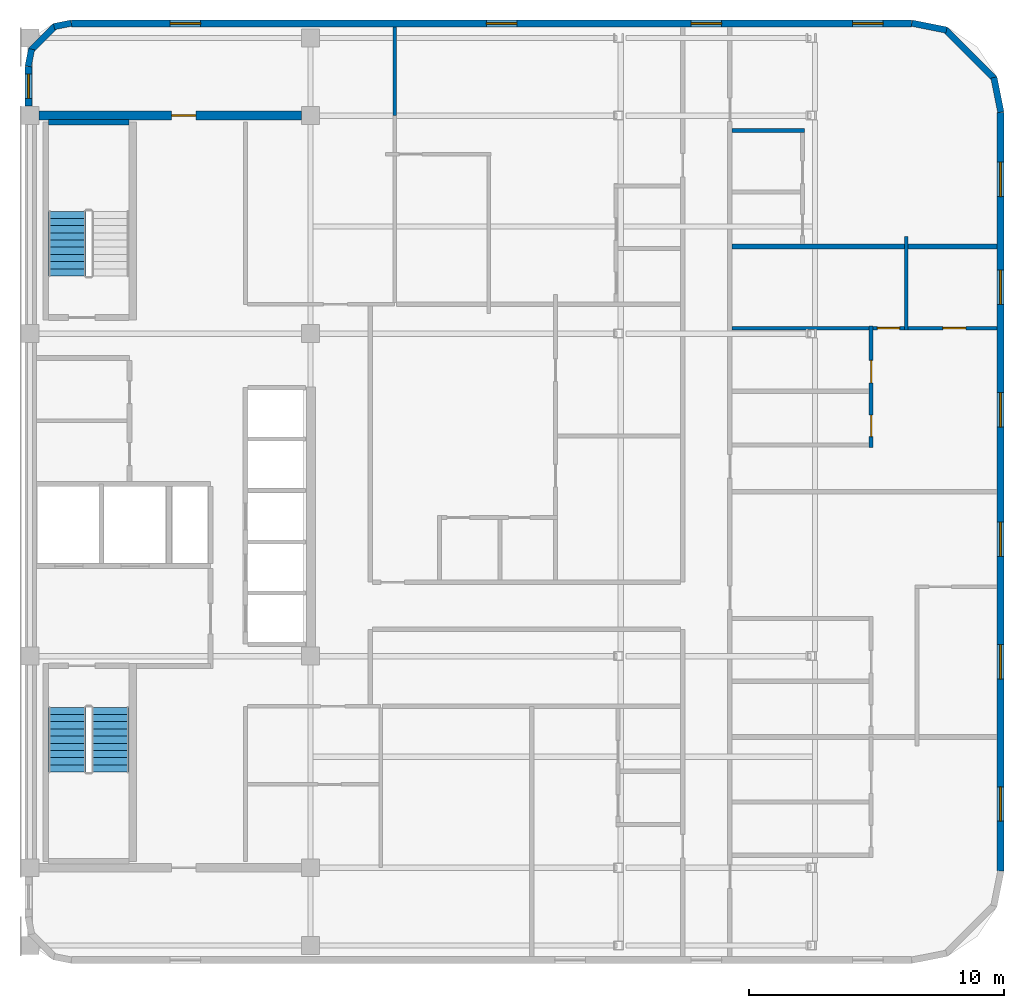
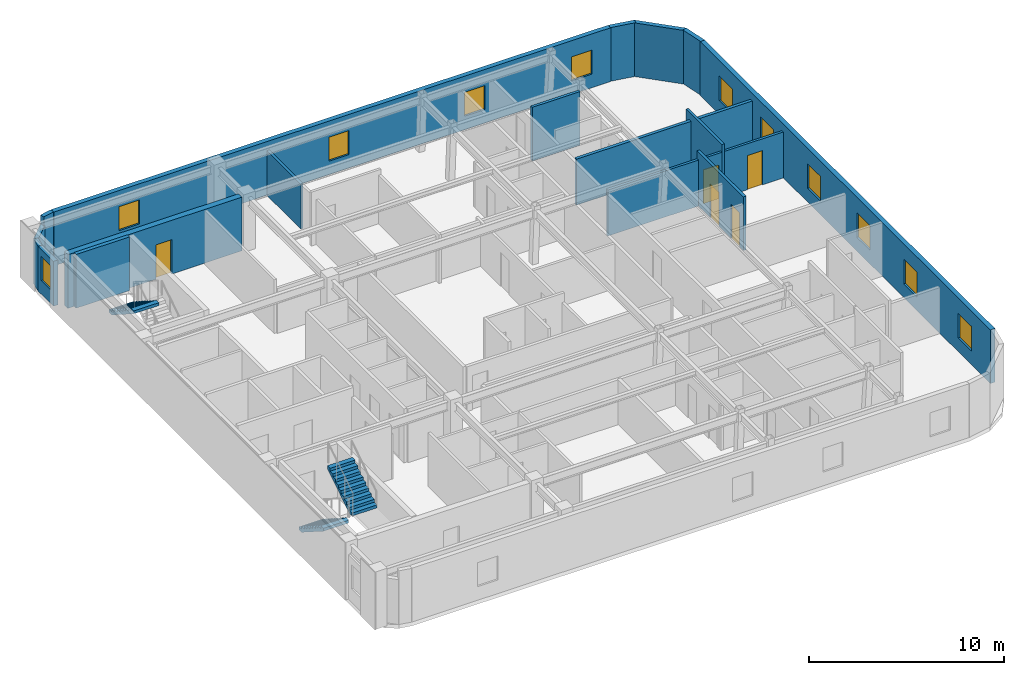
# One storey, part 5 of 7: 17 walls, 11 windows, 5 doors, 3 stair flights, 16 openings, 2 elements without a shape of their own.
"""IFC4 building model written with IfcOpenShell, lengths in metres."""

import ifcopenshell
import ifcopenshell.guid

model = None  # the IFC model being written
_history = None  # IfcOwnerHistory: only IFC2X3 demands one
_inside = {}  # id of a spatial element -> (the spatial element, [elements in it])
_under = {}  # id of a project, library or spatial element -> (it, [spatial elements below it])
_declared = {}  # id of a project -> (the project, [libraries it declares])
_typed = {}  # id of a type object -> (the type object, [elements of that type])
_made_of = {}  # id of a material, layer set ... -> (it, [elements and type objects made of it])


def new_model(schema):
    """Start an empty IFC model of exactly this schema.

    Asked for "IFC4X3", IfcOpenShell would pick the latest addendum, in which some entities
    have other attributes; the version numbers below select the first issue.
    IFC2X3 requires an IfcOwnerHistory on every rooted entity: one is made here for all.
    """
    global model, _history
    if schema == "IFC4X3":
        model = ifcopenshell.file(schema_version=(4, 3, 0, 0))
    else:
        model = ifcopenshell.file(schema=schema)
    _inside.clear()
    _under.clear()
    _declared.clear()
    _typed.clear()
    _made_of.clear()
    _history = None
    if model.schema == "IFC2X3":
        org = make("IfcOrganization", Name="unknown")
        user = make(
            "IfcPersonAndOrganization",
            ThePerson=make("IfcPerson", FamilyName="unknown"),
            TheOrganization=org,
        )
        app = make(
            "IfcApplication",
            ApplicationDeveloper=org,
            Version="unknown",
            ApplicationFullName="unknown",
            ApplicationIdentifier="unknown",
        )
        _history = make(
            "IfcOwnerHistory",
            OwningUser=user,
            OwningApplication=app,
            ChangeAction="ADDED",
            CreationDate=0,
        )
    return model


def make(cls, **values):
    """One entity of the class cls with the attributes given. An attribute that is None is left unset."""
    return model.create_entity(
        cls, **{name: value for name, value in values.items() if value is not None}
    )


def rooted(cls, **values):
    """An entity with a GlobalId (a new one), such as an element, a storey or a relation."""
    return make(cls, GlobalId=ifcopenshell.guid.new(), OwnerHistory=_history, **values)


def si_unit(unit_type, name, prefix=None):
    """IfcSIUnit, for example si_unit("LENGTHUNIT", "METRE", prefix="MILLI")."""
    return make("IfcSIUnit", UnitType=unit_type, Prefix=prefix, Name=name)


def assignment(units):
    """IfcUnitAssignment: the units of a project."""
    return None if units is None else make("IfcUnitAssignment", Units=units)


def point(xyz):
    """IfcCartesianPoint."""
    return None if xyz is None else make("IfcCartesianPoint", Coordinates=xyz)


def direction(xyz):
    """IfcDirection."""
    return None if xyz is None else make("IfcDirection", DirectionRatios=xyz)


def frame(location, z_axis=None, x_axis=None):
    """IfcAxis2Placement3D, a coordinate frame: its origin and axes. An axis left out is left unset."""
    return make(
        "IfcAxis2Placement3D",
        Location=point(location),
        Axis=direction(z_axis),
        RefDirection=direction(x_axis),
    )


def frame_2d(location, x_axis=None):
    """IfcAxis2Placement2D, a coordinate frame in the plane: its origin and x axis."""
    return make(
        "IfcAxis2Placement2D", Location=point(location), RefDirection=direction(x_axis)
    )


def origin():
    """The frame at (0, 0, 0) with its axes left unset."""
    return frame((0.0, 0.0, 0.0))


def place(relative_to, where):
    """IfcLocalPlacement: puts the frame where relative to a parent placement (None: the world)."""
    return make(
        "IfcLocalPlacement", PlacementRelTo=relative_to, RelativePlacement=where
    )


def context(
    kind, dimensions, precision=None, world=None, true_north=None, identifier=None
):
    """IfcGeometricRepresentationContext, for example the 3D "Model" context."""
    return make(
        "IfcGeometricRepresentationContext",
        ContextIdentifier=identifier,
        ContextType=kind,
        CoordinateSpaceDimension=dimensions,
        Precision=precision,
        WorldCoordinateSystem=world,
        TrueNorth=true_north,
    )


def subcontext(parent, identifier, kind, view, scale=None):
    """IfcGeometricRepresentationSubContext, for example "Body" below "Model"."""
    return make(
        "IfcGeometricRepresentationSubContext",
        ContextIdentifier=identifier,
        ContextType=kind,
        ParentContext=parent,
        TargetScale=scale,
        TargetView=view,
    )


def project(units=None, contexts=None):
    """IfcProject with its units and contexts."""
    return rooted(
        "IfcProject",
        Name="project",
        RepresentationContexts=contexts,
        UnitsInContext=assignment(units),
    )


def spatial(cls, under=None, at=None, **own):
    """A site, building, storey or space (cls), placed at a placement, below another one or the project."""
    s = rooted(cls, ObjectPlacement=at, **own)
    if under is not None:
        _under.setdefault(under.id(), (under, []))[1].append(s)
    return s


def polyline(points):
    """IfcPolyline through the points."""
    return make("IfcPolyline", Points=[point(p) for p in points])


def profile(cls, at=None, kind="AREA", **sizes):
    """A parametric profile (cls). Its sizes go by their IFC names, for example OverallWidth=200.0."""
    return make(cls, ProfileType=kind, Position=at, **sizes)


def rectangle(**sizes):
    """IfcRectangleProfileDef."""
    return profile("IfcRectangleProfileDef", **sizes)


def outline(outer, holes=None, kind="AREA"):
    """IfcArbitraryClosedProfileDef: a profile drawn as a closed curve; with holes, ...WithVoids."""
    if holes is None:
        return make("IfcArbitraryClosedProfileDef", ProfileType=kind, OuterCurve=outer)
    return make(
        "IfcArbitraryProfileDefWithVoids",
        ProfileType=kind,
        OuterCurve=outer,
        InnerCurves=holes,
    )


def extrude(swept, where, along, depth):
    """IfcExtrudedAreaSolid: the profile swept, set in the frame where, extruded along a direction by depth."""
    return make(
        "IfcExtrudedAreaSolid",
        SweptArea=swept,
        Position=where,
        ExtrudedDirection=direction(along),
        Depth=depth,
    )


def shape(context_of_items, identifier, shape_type, items):
    """IfcShapeRepresentation: the items that make up one representation, for example the "Body"."""
    return make(
        "IfcShapeRepresentation",
        ContextOfItems=context_of_items,
        RepresentationIdentifier=identifier,
        RepresentationType=shape_type,
        Items=items,
    )


def material(Name=None, Category=None):
    """IfcMaterial."""
    return make("IfcMaterial", Name=Name, Category=Category)


def layer(
    of_material, thickness, ventilated=None, Name=None, Category=None, Priority=None
):
    """IfcMaterialLayer: one layer of a wall or slab, of a material (None: an air gap)."""
    return make(
        "IfcMaterialLayer",
        Material=of_material,
        LayerThickness=thickness,
        IsVentilated=ventilated,
        Name=Name,
        Category=Category,
        Priority=Priority,
    )


def layer_set(layers, Name=None):
    """IfcMaterialLayerSet."""
    return make("IfcMaterialLayerSet", MaterialLayers=layers, LayerSetName=Name)


def made_of(thing, what):
    """Note that an element or type object is made of a material, layer set ...; save() writes the relation."""
    if what is not None:
        _made_of.setdefault(what.id(), (what, []))[1].append(thing)
    return thing


def type_object(cls, material=None, **own):
    """A type object (cls), such as IfcWallType, which elements share."""
    return made_of(rooted(cls, **own), material)


def element(
    cls,
    number,
    at=None,
    inside=None,
    cuts=None,
    type_object=None,
    material=None,
    context=None,
    identifier="Body",
    shape_type=None,
    held_by="IfcProductDefinitionShape",
    body=None,
    shapes=None,
    **own,
):
    """One element of the class cls, such as IfcWall. Its Tag is "e" and its number.

    at: its placement. inside: the storey or other place that contains it. cuts: it is an
    opening in that element (IfcRelVoidsElement). A single representation is given by context,
    identifier, shape_type and body (its items); several are given by shapes. held_by: the class
    of the entity that holds the representations. save() writes the other relations.
    """
    e = rooted(cls, Tag="e%d" % number, ObjectPlacement=at, **own)
    if body is not None:
        shapes = [shape(context, identifier, shape_type, body)]
    if shapes is not None:
        e.Representation = make(held_by, Representations=shapes)
    if inside is not None:
        _inside.setdefault(inside.id(), (inside, []))[1].append(e)
    if cuts is not None:
        rooted(
            "IfcRelVoidsElement", RelatingBuildingElement=cuts, RelatedOpeningElement=e
        )
    if type_object is not None:
        _typed.setdefault(type_object.id(), (type_object, []))[1].append(e)
    return made_of(e, material)


def fill(opening, filler):
    """IfcRelFillsElement: the door or window that sits in an opening."""
    return rooted(
        "IfcRelFillsElement",
        RelatingOpeningElement=opening,
        RelatedBuildingElement=filler,
    )


def aggregate(whole, parts):
    """IfcRelAggregates: a whole, such as a stair, and the parts it consists of."""
    return rooted("IfcRelAggregates", RelatingObject=whole, RelatedObjects=parts)


def save(model, path):
    """Write the relations noted so far, then the file.

    IfcRelAggregates (storeys below a building ...), IfcRelContainedInSpatialStructure (elements
    in a storey), IfcRelDefinesByType, IfcRelAssociatesMaterial and IfcRelDeclares: one each for
    every whole, place, type object, material and project.
    """
    for whole, parts in _under.values():
        aggregate(whole, parts)
    for where, things in _inside.values():
        rooted(
            "IfcRelContainedInSpatialStructure",
            RelatedElements=things,
            RelatingStructure=where,
        )
    for kind, things in _typed.values():
        rooted("IfcRelDefinesByType", RelatedObjects=things, RelatingType=kind)
    for what, things in _made_of.values():
        rooted("IfcRelAssociatesMaterial", RelatedObjects=things, RelatingMaterial=what)
    for by, libraries in _declared.values():
        rooted("IfcRelDeclares", RelatingContext=by, RelatedDefinitions=libraries)
    model.write(path)


model = new_model("IFC4")

# Units and contexts
model_context = context("Model", 3, precision=1e-05, world=origin(), true_north=direction((0.0, 1.0)))
body_context = subcontext(model_context, "Body", "Model", "MODEL_VIEW")
ifc_project = project(units=[si_unit("LENGTHUNIT", "METRE"), si_unit("AREAUNIT", "SQUARE_METRE"), si_unit("VOLUMEUNIT", "CUBIC_METRE"), si_unit("PLANEANGLEUNIT", "RADIAN"), si_unit("MASSUNIT", "GRAM", prefix="KILO")], contexts=[model_context])

# Site, building, storey
site_placement = place(None, origin())
site = spatial("IfcSite", under=ifc_project, at=site_placement, CompositionType="ELEMENT")
building_placement = place(site_placement, origin())
building = spatial("IfcBuilding", under=site, at=building_placement, Name="Ochreholt Gables", CompositionType="ELEMENT")
storey_placement = place(building_placement, frame((0.0, 0.0, 209.39990234375)))
storey = spatial("IfcBuildingStorey", under=building, at=storey_placement, Name="L54", CompositionType="ELEMENT", Elevation=209.39990234375)

# Wall, opening, door
ifc_material_1 = material(Name="Concrete 50 MPa", Category="concrete")
ifc_layer_1 = layer(ifc_material_1, 0.35009765625, Name="Concrete 50 MPa")
ifc_layer_set_1 = layer_set([ifc_layer_1], Name="Concrete 50 MPa")
wall_type_1 = type_object("IfcWallType", Name="WALL-CSW-350", PredefinedType="SHEAR", material=ifc_layer_set_1)
wall_1_placement = place(storey_placement, frame((24.550048828125, 38.75, 0.0), z_axis=(0.0, 0.0, 1.0), x_axis=(1.0, 0.0, 0.0)))
wall_1 = element("IfcWall", 1, at=wall_1_placement, inside=storey, type_object=wall_type_1, Name="L54 Core North Shear Wall", PredefinedType="SHEAR", context=body_context, shape_type="SweptSolid", body=[
    extrude(rectangle(XDim=10.300048828125, YDim=0.35009765625, at=frame_2d((5.14990234375, 0.0))), origin(), (0.0, 0.0, 1.0), 3.360107421875),
])
opening_1_placement = place(wall_1_placement, frame((5.199951171875, 0.0, 0.0)))
opening_1 = element("IfcOpeningElement", 2, at=opening_1_placement, cuts=wall_1, Name="Opening D-FL2", PredefinedType="OPENING", context=body_context, shape_type="SweptSolid", body=[
    extrude(rectangle(XDim=0.949951171875, YDim=2.14990234375, at=frame_2d((0.47509765625, 1.074951171875))), frame((0.0, 0.18505859375, 0.0), z_axis=(0.0, -1.0, 0.0), x_axis=(1.0, 0.0, 0.0)), (0.0, 0.0, 1.0), 0.3701171875),
])
ifc_material_2 = material(Name="Hollow Metal Steel", Category="steel")
door_type_1 = type_object("IfcDoorType", Name="DR-INT-FLB950", OperationType="NOTDEFINED", PredefinedType="DOOR", material=ifc_material_2)
door_1_placement = place(opening_1_placement, origin())
door_1 = element("IfcDoor", 3, at=door_1_placement, inside=storey, type_object=door_type_1, Name="L54 Door D-C3NSR-L54", OperationType="SINGLE_SWING_RIGHT", OverallHeight=2.14990234375, OverallWidth=0.949951171875, PredefinedType="DOOR", context=body_context, shape_type="SweptSolid", body=[
    extrude(rectangle(XDim=0.949951171875, YDim=2.14990234375, at=frame_2d((0.47509765625, 1.074951171875))), frame((0.0, 0.02490234375, 0.0), z_axis=(0.0, -1.0, 0.0), x_axis=(1.0, 0.0, 0.0)), (0.0, 0.0, 1.0), 0.050048828125),
])
fill(opening_1, door_1)

# Wall, openings, windows
ifc_material_3 = material(Name="Precast concrete 40 MPa", Category="concrete")
ifc_layer_2 = layer(ifc_material_3, 0.27001953125, Name="Precast concrete 40 MPa")
ifc_layer_set_2 = layer_set([ifc_layer_2], Name="Precast concrete 40 MPa")
wall_type_2 = type_object("IfcWallType", Name="WALL-EXT-270", PredefinedType="SOLIDWALL", material=ifc_layer_set_2)
wall_2_placement = place(storey_placement, frame((62.264892578125, 9.1201171875, 0.0), z_axis=(0.0, 0.0, 1.0), x_axis=(0.0, 1.0, 0.0)))
wall_2 = element("IfcWall", 4, at=wall_2_placement, inside=storey, type_object=wall_type_2, Name="L54 East Exterior Wall", PredefinedType="SOLIDWALL", context=body_context, shape_type="SweptSolid", body=[
    extrude(rectangle(XDim=29.759765625, YDim=0.27001953125, at=frame_2d((14.8798828125, 0.0))), origin(), (0.0, 0.0, 1.0), 3.360107421875),
])
opening_2_placement = place(wall_2_placement, frame((1.955078125, 0.0, 0.85009765625)))
opening_2 = element("IfcOpeningElement", 5, at=opening_2_placement, cuts=wall_2, Name="Opening WN-8", PredefinedType="OPENING", context=body_context, shape_type="SweptSolid", body=[
    extrude(rectangle(XDim=1.35009765625, YDim=1.550048828125, at=frame_2d((0.675048828125, 0.77490234375))), frame((0.0, 0.14501953125, 0.0), z_axis=(0.0, -1.0, 0.0), x_axis=(1.0, 0.0, 0.0)), (0.0, 0.0, 1.0), 0.2900390625),
])
opening_3_placement = place(wall_2_placement, frame((7.530029296875, 0.0, 0.85009765625)))
opening_3 = element("IfcOpeningElement", 6, at=opening_3_placement, cuts=wall_2, Name="Opening WN-8", PredefinedType="OPENING", context=body_context, shape_type="SweptSolid", body=[
    extrude(rectangle(XDim=1.35009765625, YDim=1.550048828125, at=frame_2d((0.675048828125, 0.77490234375))), frame((0.0, 0.14501953125, 0.0), z_axis=(0.0, -1.0, 0.0), x_axis=(1.0, 0.0, 0.0)), (0.0, 0.0, 1.0), 0.2900390625),
])
opening_4_placement = place(wall_2_placement, frame((12.340087890625, 0.0, 0.85009765625)))
opening_4 = element("IfcOpeningElement", 7, at=opening_4_placement, cuts=wall_2, Name="Opening WN-8", PredefinedType="OPENING", context=body_context, shape_type="SweptSolid", body=[
    extrude(rectangle(XDim=1.35009765625, YDim=1.550048828125, at=frame_2d((0.675048828125, 0.77490234375))), frame((0.0, 0.14501953125, 0.0), z_axis=(0.0, -1.0, 0.0), x_axis=(1.0, 0.0, 0.0)), (0.0, 0.0, 1.0), 0.2900390625),
])
opening_5_placement = place(wall_2_placement, frame((17.412353515625, 0.0, 0.85009765625)))
opening_5 = element("IfcOpeningElement", 8, at=opening_5_placement, cuts=wall_2, Name="Opening WN-8", PredefinedType="OPENING", context=body_context, shape_type="SweptSolid", body=[
    extrude(rectangle(XDim=1.35009765625, YDim=1.550048828125, at=frame_2d((0.675048828125, 0.77490234375))), frame((0.0, 0.14501953125, 0.0), z_axis=(0.0, -1.0, 0.0), x_axis=(1.0, 0.0, 0.0)), (0.0, 0.0, 1.0), 0.2900390625),
])
opening_6_placement = place(wall_2_placement, frame((22.222412109375, 0.0, 0.85009765625)))
opening_6 = element("IfcOpeningElement", 9, at=opening_6_placement, cuts=wall_2, Name="Opening WN-8", PredefinedType="OPENING", context=body_context, shape_type="SweptSolid", body=[
    extrude(rectangle(XDim=1.35009765625, YDim=1.550048828125, at=frame_2d((0.675048828125, 0.77490234375))), frame((0.0, 0.14501953125, 0.0), z_axis=(0.0, -1.0, 0.0), x_axis=(1.0, 0.0, 0.0)), (0.0, 0.0, 1.0), 0.2900390625),
])
opening_7_placement = place(wall_2_placement, frame((26.455078125, 0.0, 0.85009765625)))
opening_7 = element("IfcOpeningElement", 10, at=opening_7_placement, cuts=wall_2, Name="Opening WN-8", PredefinedType="OPENING", context=body_context, shape_type="SweptSolid", body=[
    extrude(rectangle(XDim=1.35009765625, YDim=1.550048828125, at=frame_2d((0.675048828125, 0.77490234375))), frame((0.0, 0.14501953125, 0.0), z_axis=(0.0, -1.0, 0.0), x_axis=(1.0, 0.0, 0.0)), (0.0, 0.0, 1.0), 0.2900390625),
])
ifc_material_4 = material(Name="Triple-Glazed Thermally Broken Aluminium Window", Category="aluminium")
window_type_1 = type_object("IfcWindowType", Name="WIN-RES-1350", PartitioningType="SINGLE_PANEL", PredefinedType="WINDOW", material=ifc_material_4)
window_1_placement = place(opening_2_placement, origin())
window_1 = element("IfcWindow", 11, at=window_1_placement, inside=storey, type_object=window_type_1, Name="L54 Window W-EXT-E-L54-1", OverallHeight=1.550048828125, OverallWidth=1.35009765625, PartitioningType="SINGLE_PANEL", PredefinedType="WINDOW", context=body_context, shape_type="SweptSolid", body=[
    extrude(rectangle(XDim=1.35009765625, YDim=1.550048828125, at=frame_2d((0.675048828125, 0.77490234375))), frame((0.0, 0.030029296875, 0.0), z_axis=(0.0, -1.0, 0.0), x_axis=(1.0, 0.0, 0.0)), (0.0, 0.0, 1.0), 0.06005859375),
])
fill(opening_2, window_1)
window_2_placement = place(opening_3_placement, origin())
window_2 = element("IfcWindow", 12, at=window_2_placement, inside=storey, type_object=window_type_1, Name="L54 Window W-EXT-E-L54-2", OverallHeight=1.550048828125, OverallWidth=1.35009765625, PartitioningType="SINGLE_PANEL", PredefinedType="WINDOW", context=body_context, shape_type="SweptSolid", body=[
    extrude(rectangle(XDim=1.35009765625, YDim=1.550048828125, at=frame_2d((0.675048828125, 0.77490234375))), frame((0.0, 0.030029296875, 0.0), z_axis=(0.0, -1.0, 0.0), x_axis=(1.0, 0.0, 0.0)), (0.0, 0.0, 1.0), 0.06005859375),
])
fill(opening_3, window_2)
window_3_placement = place(opening_4_placement, origin())
window_3 = element("IfcWindow", 13, at=window_3_placement, inside=storey, type_object=window_type_1, Name="L54 Window W-EXT-E-L54-3", OverallHeight=1.550048828125, OverallWidth=1.35009765625, PartitioningType="SINGLE_PANEL", PredefinedType="WINDOW", context=body_context, shape_type="SweptSolid", body=[
    extrude(rectangle(XDim=1.35009765625, YDim=1.550048828125, at=frame_2d((0.675048828125, 0.77490234375))), frame((0.0, 0.030029296875, 0.0), z_axis=(0.0, -1.0, 0.0), x_axis=(1.0, 0.0, 0.0)), (0.0, 0.0, 1.0), 0.06005859375),
])
fill(opening_4, window_3)
window_4_placement = place(opening_5_placement, origin())
window_4 = element("IfcWindow", 14, at=window_4_placement, inside=storey, type_object=window_type_1, Name="L54 Window W-EXT-E-L54-4", OverallHeight=1.550048828125, OverallWidth=1.35009765625, PartitioningType="SINGLE_PANEL", PredefinedType="WINDOW", context=body_context, shape_type="SweptSolid", body=[
    extrude(rectangle(XDim=1.35009765625, YDim=1.550048828125, at=frame_2d((0.675048828125, 0.77490234375))), frame((0.0, 0.030029296875, 0.0), z_axis=(0.0, -1.0, 0.0), x_axis=(1.0, 0.0, 0.0)), (0.0, 0.0, 1.0), 0.06005859375),
])
fill(opening_5, window_4)
window_5_placement = place(opening_6_placement, origin())
window_5 = element("IfcWindow", 15, at=window_5_placement, inside=storey, type_object=window_type_1, Name="L54 Window W-EXT-E-L54-5", OverallHeight=1.550048828125, OverallWidth=1.35009765625, PartitioningType="SINGLE_PANEL", PredefinedType="WINDOW", context=body_context, shape_type="SweptSolid", body=[
    extrude(rectangle(XDim=1.35009765625, YDim=1.550048828125, at=frame_2d((0.675048828125, 0.77490234375))), frame((0.0, 0.030029296875, 0.0), z_axis=(0.0, -1.0, 0.0), x_axis=(1.0, 0.0, 0.0)), (0.0, 0.0, 1.0), 0.06005859375),
])
fill(opening_6, window_5)
window_6_placement = place(opening_7_placement, origin())
window_6 = element("IfcWindow", 16, at=window_6_placement, inside=storey, type_object=window_type_1, Name="L54 Window W-EXT-E-L54-6", OverallHeight=1.550048828125, OverallWidth=1.35009765625, PartitioningType="SINGLE_PANEL", PredefinedType="WINDOW", context=body_context, shape_type="SweptSolid", body=[
    extrude(rectangle(XDim=1.35009765625, YDim=1.550048828125, at=frame_2d((0.675048828125, 0.77490234375))), frame((0.0, 0.030029296875, 0.0), z_axis=(0.0, -1.0, 0.0), x_axis=(1.0, 0.0, 0.0)), (0.0, 0.0, 1.0), 0.06005859375),
])
fill(opening_7, window_6)

wall_3_placement = place(storey_placement, frame((58.780029296875, 42.364990234375, 0.0), z_axis=(0.0, 0.0, 1.0), x_axis=(-1.0, 0.0, 0.0)))
wall_3 = element("IfcWall", 17, at=wall_3_placement, inside=storey, type_object=wall_type_2, Name="L54 North Exterior Wall", PredefinedType="SOLIDWALL", context=body_context, shape_type="SweptSolid", body=[
    extrude(rectangle(XDim=32.9599609375, YDim=0.27001953125, at=frame_2d((16.47998046875, 0.0))), origin(), (0.0, 0.0, 1.0), 3.360107421875),
])
opening_8_placement = place(wall_3_placement, frame((27.889892578125, 0.0, 0.85009765625)))
opening_8 = element("IfcOpeningElement", 18, at=opening_8_placement, cuts=wall_3, Name="Opening WN-3", PredefinedType="OPENING", context=body_context, shape_type="SweptSolid", body=[
    extrude(rectangle(XDim=1.199951171875, YDim=1.5, at=frame_2d((0.60009765625, 0.75))), frame((0.0, 0.14501953125, 0.0), z_axis=(0.0, -1.0, 0.0), x_axis=(1.0, 0.0, 0.0)), (0.0, 0.0, 1.0), 0.2900390625),
])
opening_9_placement = place(wall_3_placement, frame((15.486083984375, 0.0, 0.85009765625)))
opening_9 = element("IfcOpeningElement", 19, at=opening_9_placement, cuts=wall_3, Name="Opening WN-3", PredefinedType="OPENING", context=body_context, shape_type="SweptSolid", body=[
    extrude(rectangle(XDim=1.199951171875, YDim=1.5, at=frame_2d((0.60009765625, 0.75))), frame((0.0, 0.14501953125, 0.0), z_axis=(0.0, -1.0, 0.0), x_axis=(1.0, 0.0, 0.0)), (0.0, 0.0, 1.0), 0.2900390625),
])
opening_10_placement = place(wall_3_placement, frame((7.455078125, 0.0, 0.85009765625)))
opening_10 = element("IfcOpeningElement", 20, at=opening_10_placement, cuts=wall_3, Name="Opening WN-3", PredefinedType="OPENING", context=body_context, shape_type="SweptSolid", body=[
    extrude(rectangle(XDim=1.199951171875, YDim=1.5, at=frame_2d((0.60009765625, 0.75))), frame((0.0, 0.14501953125, 0.0), z_axis=(0.0, -1.0, 0.0), x_axis=(1.0, 0.0, 0.0)), (0.0, 0.0, 1.0), 0.2900390625),
])
opening_11_placement = place(wall_3_placement, frame((1.11669921875, 0.0, 0.85009765625)))
opening_11 = element("IfcOpeningElement", 21, at=opening_11_placement, cuts=wall_3, Name="Opening WN-3", PredefinedType="OPENING", context=body_context, shape_type="SweptSolid", body=[
    extrude(rectangle(XDim=1.199951171875, YDim=1.5, at=frame_2d((0.60009765625, 0.75))), frame((0.0, 0.14501953125, 0.0), z_axis=(0.0, -1.0, 0.0), x_axis=(1.0, 0.0, 0.0)), (0.0, 0.0, 1.0), 0.2900390625),
])
window_type_2 = type_object("IfcWindowType", Name="WIN-RES-1200", PartitioningType="SINGLE_PANEL", PredefinedType="WINDOW", material=ifc_material_4)
window_7_placement = place(opening_8_placement, origin())
window_7 = element("IfcWindow", 22, at=window_7_placement, inside=storey, type_object=window_type_2, Name="L54 Window W-EXT-N-L54-1", OverallHeight=1.5, OverallWidth=1.199951171875, PartitioningType="SINGLE_PANEL", PredefinedType="WINDOW", context=body_context, shape_type="SweptSolid", body=[
    extrude(rectangle(XDim=1.199951171875, YDim=1.5, at=frame_2d((0.60009765625, 0.75))), frame((0.0, 0.030029296875, 0.0), z_axis=(0.0, -1.0, 0.0), x_axis=(1.0, 0.0, 0.0)), (0.0, 0.0, 1.0), 0.06005859375),
])
fill(opening_8, window_7)
window_8_placement = place(opening_9_placement, origin())
window_8 = element("IfcWindow", 23, at=window_8_placement, inside=storey, type_object=window_type_2, Name="L54 Window W-EXT-N-L54-2", OverallHeight=1.5, OverallWidth=1.199951171875, PartitioningType="SINGLE_PANEL", PredefinedType="WINDOW", context=body_context, shape_type="SweptSolid", body=[
    extrude(rectangle(XDim=1.199951171875, YDim=1.5, at=frame_2d((0.60009765625, 0.75))), frame((0.0, 0.030029296875, 0.0), z_axis=(0.0, -1.0, 0.0), x_axis=(1.0, 0.0, 0.0)), (0.0, 0.0, 1.0), 0.06005859375),
])
fill(opening_9, window_8)
window_9_placement = place(opening_10_placement, origin())
window_9 = element("IfcWindow", 24, at=window_9_placement, inside=storey, type_object=window_type_2, Name="L54 Window W-EXT-N-L54-3", OverallHeight=1.5, OverallWidth=1.199951171875, PartitioningType="SINGLE_PANEL", PredefinedType="WINDOW", context=body_context, shape_type="SweptSolid", body=[
    extrude(rectangle(XDim=1.199951171875, YDim=1.5, at=frame_2d((0.60009765625, 0.75))), frame((0.0, 0.030029296875, 0.0), z_axis=(0.0, -1.0, 0.0), x_axis=(1.0, 0.0, 0.0)), (0.0, 0.0, 1.0), 0.06005859375),
])
fill(opening_10, window_9)
window_10_placement = place(opening_11_placement, origin())
window_10 = element("IfcWindow", 25, at=window_10_placement, inside=storey, type_object=window_type_2, Name="L54 Window W-EXT-N-L54-4", OverallHeight=1.5, OverallWidth=1.199951171875, PartitioningType="SINGLE_PANEL", PredefinedType="WINDOW", context=body_context, shape_type="SweptSolid", body=[
    extrude(rectangle(XDim=1.199951171875, YDim=1.5, at=frame_2d((0.60009765625, 0.75))), frame((0.0, 0.030029296875, 0.0), z_axis=(0.0, -1.0, 0.0), x_axis=(1.0, 0.0, 0.0)), (0.0, 0.0, 1.0), 0.06005859375),
])
fill(opening_11, window_10)

# Wall, opening, window
wall_4_placement = place(storey_placement, frame((24.135009765625, 39.1201171875, 0.0), z_axis=(0.0, 0.0, 1.0), x_axis=(0.0, 1.0, 0.0)))
wall_4 = element("IfcWall", 26, at=wall_4_placement, inside=storey, type_object=wall_type_2, Name="L54 West Facade North Bay Wall", PredefinedType="SOLIDWALL", context=body_context, shape_type="SweptSolid", body=[
    extrude(rectangle(XDim=1.559814453125, YDim=0.27001953125, at=frame_2d((0.77978515625, 0.0))), origin(), (0.0, 0.0, 1.0), 2.802978515625),
])
opening_12_placement = place(wall_4_placement, frame((0.304931640625, 0.0, 0.85009765625)))
opening_12 = element("IfcOpeningElement", 27, at=opening_12_placement, cuts=wall_4, Name="Opening WN-10", PredefinedType="OPENING", context=body_context, shape_type="SweptSolid", body=[
    extrude(rectangle(XDim=0.949951171875, YDim=1.5, at=frame_2d((0.47509765625, 0.75))), frame((0.0, 0.14501953125, 0.0), z_axis=(0.0, -1.0, 0.0), x_axis=(1.0, 0.0, 0.0)), (0.0, 0.0, 1.0), 0.2900390625),
])
window_type_3 = type_object("IfcWindowType", Name="WIN-RES-950", PartitioningType="SINGLE_PANEL", PredefinedType="WINDOW", material=ifc_material_4)
window_11_placement = place(opening_12_placement, origin())
window_11 = element("IfcWindow", 28, at=window_11_placement, inside=storey, type_object=window_type_3, Name="L54 North Sky Reading West Window", OverallHeight=1.5, OverallWidth=0.949951171875, PartitioningType="SINGLE_PANEL", PredefinedType="WINDOW", context=body_context, shape_type="SweptSolid", body=[
    extrude(rectangle(XDim=0.949951171875, YDim=1.5, at=frame_2d((0.47509765625, 0.75))), frame((0.0, 0.030029296875, 0.0), z_axis=(0.0, -1.0, 0.0), x_axis=(1.0, 0.0, 0.0)), (0.0, 0.0, 1.0), 0.06005859375),
])
fill(opening_12, window_11)

# Walls
ifc_layer_3 = layer(ifc_material_3, 0.25, Name="Precast concrete 40 MPa")
ifc_layer_set_3 = layer_set([ifc_layer_3], Name="Precast concrete 40 MPa")
wall_type_3 = type_object("IfcWallType", Name="WALL-EXT-CNR", PredefinedType="SOLIDWALL", material=ifc_layer_set_3)
wall_5_placement = place(storey_placement, frame((62.27587890625, 38.883544921875, 0.0), z_axis=(0.0, 0.0, 1.0), x_axis=(-0.195135625965, 0.9807762678, 0.0)))
element("IfcWall", 29, at=wall_5_placement, inside=storey, type_object=wall_type_3, Name="L54 Rounded Corner Wall NE-1", PredefinedType="SOLIDWALL", context=body_context, shape_type="SweptSolid", body=[
    extrude(rectangle(XDim=1.388671875, YDim=0.25, at=frame_2d((0.6943359375, 0.0))), origin(), (0.0, 0.0, 1.0), 3.360107421875),
])
wall_6_placement = place(storey_placement, frame((62.031982421875, 40.195068359375, 0.0), z_axis=(0.0, 0.0, 1.0), x_axis=(-0.707106781187, 0.707106781187, 0.0)))
element("IfcWall", 30, at=wall_6_placement, inside=storey, type_object=wall_type_3, Name="L54 Rounded Corner Wall NE-2", PredefinedType="SOLIDWALL", context=body_context, shape_type="SweptSolid", body=[
    extrude(rectangle(XDim=2.7392578125, YDim=0.25, at=frame_2d((1.36962890625, 0.0))), origin(), (0.0, 0.0, 1.0), 3.360107421875),
])
wall_7_placement = place(storey_placement, frame((60.1455078125, 42.10498046875, 0.0), z_axis=(0.0, 0.0, 1.0), x_axis=(-0.980809899341, 0.19496651342, 0.0)))
element("IfcWall", 31, at=wall_7_placement, inside=storey, type_object=wall_type_3, Name="L54 Rounded Corner Wall NE-3", PredefinedType="SOLIDWALL", context=body_context, shape_type="SweptSolid", body=[
    extrude(rectangle(XDim=1.388671875, YDim=0.25, at=frame_2d((0.6943359375, 0.0))), origin(), (0.0, 0.0, 1.0), 3.360107421875),
])
wall_8_placement = place(storey_placement, frame((25.81640625, 42.375732421875, 0.0), z_axis=(0.0, 0.0, 1.0), x_axis=(-0.980812594069, -0.194952956674, 0.0)))
element("IfcWall", 32, at=wall_8_placement, inside=storey, type_object=wall_type_3, Name="L54 Rounded Corner Wall NW-1", PredefinedType="SOLIDWALL", context=body_context, shape_type="SweptSolid", body=[
    extrude(rectangle(XDim=0.686279296875, YDim=0.25, at=frame_2d((0.34326171875, 0.0))), origin(), (0.0, 0.0, 1.0), 3.360107421875),
])
wall_9_placement = place(storey_placement, frame((25.19384765625, 42.26904296875, 0.0), z_axis=(0.0, 0.0, 1.0), x_axis=(-0.707106781187, -0.707106781187, 0.0)))
element("IfcWall", 33, at=wall_9_placement, inside=storey, type_object=wall_type_3, Name="L54 Rounded Corner Wall NW-2", PredefinedType="SOLIDWALL", context=body_context, shape_type="SweptSolid", body=[
    extrude(rectangle(XDim=1.36181640625, YDim=0.25, at=frame_2d((0.680908203125, 0.0))), origin(), (0.0, 0.0, 1.0), 2.802978515625),
])
wall_10_placement = place(storey_placement, frame((24.258056640625, 41.356689453125, 0.0), z_axis=(0.0, 0.0, 1.0), x_axis=(-0.194952956674, -0.980812594069, 0.0)))
element("IfcWall", 34, at=wall_10_placement, inside=storey, type_object=wall_type_3, Name="L54 Rounded Corner Wall NW-3", PredefinedType="SOLIDWALL", context=body_context, shape_type="SweptSolid", body=[
    extrude(rectangle(XDim=0.686279296875, YDim=0.25, at=frame_2d((0.34326171875, 0.0))), origin(), (0.0, 0.0, 1.0), 2.802978515625),
])
ifc_material_5 = material(Name="Double-Stud Acoustic Demising Wall", Category="gypsum")
ifc_layer_4 = layer(ifc_material_5, 0.18505859375, Name="Double-Stud Acoustic Demising Wall")
ifc_layer_set_4 = layer_set([ifc_layer_4], Name="Double-Stud Acoustic Demising Wall")
wall_type_4 = type_object("IfcWallType", Name="WALL-INT-DM185", PredefinedType="PARTITIONING", material=ifc_layer_set_4)
wall_11_placement = place(storey_placement, frame((51.739990234375, 33.6201171875, 0.0), z_axis=(0.0, 0.0, 1.0), x_axis=(1.0, 0.0, 0.0)))
element("IfcWall", 35, at=wall_11_placement, inside=storey, type_object=wall_type_4, Name="L54 Interior Wall WI-C3UDE4-L54", PredefinedType="PARTITIONING", context=body_context, shape_type="SweptSolid", body=[
    extrude(rectangle(XDim=10.389892578125, YDim=0.18505859375, at=frame_2d((5.19482421875, 0.0))), origin(), (0.0, 0.0, 1.0), 2.879150390625),
])

# Wall, openings, doors
ifc_material_6 = material(Name="Moisture-Resistant Plumbing Chase Wall", Category="gypsum")
ifc_layer_5 = layer(ifc_material_6, 0.159912109375, Name="Moisture-Resistant Plumbing Chase Wall")
ifc_layer_set_5 = layer_set([ifc_layer_5], Name="Moisture-Resistant Plumbing Chase Wall")
wall_type_5 = type_object("IfcWallType", Name="WALL-INT-PL160", PredefinedType="PLUMBINGWALL", material=ifc_layer_set_5)
wall_12_placement = place(storey_placement, frame((57.18994140625, 25.739990234375, 0.0), z_axis=(0.0, 0.0, 1.0), x_axis=(0.0, 1.0, 0.0)))
wall_12 = element("IfcWall", 36, at=wall_12_placement, inside=storey, type_object=wall_type_5, Name="L54 Interior Wall WU-L54E3-WX", PredefinedType="PLUMBINGWALL", context=body_context, shape_type="SweptSolid", body=[
    extrude(rectangle(XDim=4.764892578125, YDim=0.159912109375, at=frame_2d((2.38232421875, 0.0))), origin(), (0.0, 0.0, 1.0), 3.360107421875),
])
opening_13_placement = place(wall_12_placement, frame((0.419921875, 0.0, 0.0)))
opening_13 = element("IfcOpeningElement", 37, at=opening_13_placement, cuts=wall_12, Name="Opening D-BT2", PredefinedType="OPENING", context=body_context, shape_type="SweptSolid", body=[
    extrude(rectangle(XDim=0.840087890625, YDim=2.1201171875, at=frame_2d((0.419921875, 1.06005859375))), frame((0.0, 0.08984375, 0.0), z_axis=(0.0, -1.0, 0.0), x_axis=(1.0, 0.0, 0.0)), (0.0, 0.0, 1.0), 0.179931640625),
])
opening_14_placement = place(wall_12_placement, frame((2.529052734375, 0.0, 0.0)))
opening_14 = element("IfcOpeningElement", 38, at=opening_14_placement, cuts=wall_12, Name="Opening D-GN2", PredefinedType="OPENING", context=body_context, shape_type="SweptSolid", body=[
    extrude(rectangle(XDim=0.8798828125, YDim=2.1201171875, at=frame_2d((0.43994140625, 1.06005859375))), frame((0.0, 0.08984375, 0.0), z_axis=(0.0, -1.0, 0.0), x_axis=(1.0, 0.0, 0.0)), (0.0, 0.0, 1.0), 0.179931640625),
])
ifc_material_7 = material(Name="Engineered Oak Timber", Category="wood")
door_type_2 = type_object("IfcDoorType", Name="DR-INT-BTH840", OperationType="NOTDEFINED", PredefinedType="DOOR", material=ifc_material_7)
door_2_placement = place(opening_13_placement, origin())
door_2 = element("IfcDoor", 39, at=door_2_placement, inside=storey, type_object=door_type_2, Name="L54 Door D-U-L54E3-BTH", OperationType="SINGLE_SWING_LEFT", OverallHeight=2.1201171875, OverallWidth=0.840087890625, PredefinedType="DOOR", context=body_context, shape_type="SweptSolid", body=[
    extrude(rectangle(XDim=0.840087890625, YDim=2.1201171875, at=frame_2d((0.419921875, 1.06005859375))), frame((0.0, 0.02490234375, 0.0), z_axis=(0.0, -1.0, 0.0), x_axis=(1.0, 0.0, 0.0)), (0.0, 0.0, 1.0), 0.050048828125),
])
fill(opening_13, door_2)
door_type_3 = type_object("IfcDoorType", Name="DR-INT-GEN880", OperationType="NOTDEFINED", PredefinedType="DOOR", material=ifc_material_7)
door_3_placement = place(opening_14_placement, origin())
door_3 = element("IfcDoor", 40, at=door_3_placement, inside=storey, type_object=door_type_3, Name="L54 Door D-U-L54E3-KIT", OperationType="SINGLE_SWING_RIGHT", OverallHeight=2.1201171875, OverallWidth=0.8798828125, PredefinedType="DOOR", context=body_context, shape_type="SweptSolid", body=[
    extrude(rectangle(XDim=0.8798828125, YDim=2.1201171875, at=frame_2d((0.43994140625, 1.06005859375))), frame((0.0, 0.02490234375, 0.0), z_axis=(0.0, -1.0, 0.0), x_axis=(1.0, 0.0, 0.0)), (0.0, 0.0, 1.0), 0.050048828125),
])
fill(opening_14, door_3)

# Wall
wall_13_placement = place(storey_placement, frame((51.739990234375, 38.159912109375, 0.0), z_axis=(0.0, 0.0, 1.0), x_axis=(1.0, 0.0, 0.0)))
element("IfcWall", 41, at=wall_13_placement, inside=storey, type_object=wall_type_5, Name="L54 Interior Wall WU-L54E4-WYN", PredefinedType="PLUMBINGWALL", context=body_context, shape_type="SweptSolid", body=[
    extrude(rectangle(XDim=2.833984375, YDim=0.159912109375, at=frame_2d((1.4169921875, 0.0))), origin(), (0.0, 0.0, 1.0), 3.360107421875),
])

# Wall, openings, doors
ifc_material_8 = material(Name="Lightweight Stud Partition", Category="gypsum")
ifc_layer_6 = layer(ifc_material_8, 0.14501953125, Name="Lightweight Stud Partition")
ifc_layer_set_6 = layer_set([ifc_layer_6], Name="Lightweight Stud Partition")
wall_type_6 = type_object("IfcWallType", Name="WALL-INT-PT145", PredefinedType="PARTITIONING", material=ifc_layer_set_6)
wall_14_placement = place(storey_placement, frame((51.739990234375, 30.414794921875, 0.0), z_axis=(0.0, 0.0, 1.0), x_axis=(1.0, 0.0, 0.0)))
wall_14 = element("IfcWall", 42, at=wall_14_placement, inside=storey, type_object=wall_type_6, Name="L54 Interior Wall WU-L54E3-MN", PredefinedType="PARTITIONING", context=body_context, shape_type="SweptSolid", body=[
    extrude(rectangle(XDim=10.389892578125, YDim=0.14501953125, at=frame_2d((5.19482421875, 0.0))), origin(), (0.0, 0.0, 1.0), 2.879150390625),
])
opening_15_placement = place(wall_14_placement, frame((5.68994140625, 0.0, 0.0)))
opening_15 = element("IfcOpeningElement", 43, at=opening_15_placement, cuts=wall_14, Name="Opening D-GN2", PredefinedType="OPENING", context=body_context, shape_type="SweptSolid", body=[
    extrude(rectangle(XDim=0.8798828125, YDim=2.1201171875, at=frame_2d((0.43994140625, 1.06005859375))), frame((0.0, 0.08251953125, 0.0), z_axis=(0.0, -1.0, 0.0), x_axis=(1.0, 0.0, 0.0)), (0.0, 0.0, 1.0), 0.1650390625),
])
opening_16_placement = place(wall_14_placement, frame((8.264892578125, 0.0, 0.0)))
opening_16 = element("IfcOpeningElement", 44, at=opening_16_placement, cuts=wall_14, Name="Opening D-BD1", PredefinedType="OPENING", context=body_context, shape_type="SweptSolid", body=[
    extrude(rectangle(XDim=0.89990234375, YDim=2.139892578125, at=frame_2d((0.449951171875, 1.06982421875))), frame((0.0, 0.08251953125, 0.0), z_axis=(0.0, -1.0, 0.0), x_axis=(1.0, 0.0, 0.0)), (0.0, 0.0, 1.0), 0.1650390625),
])
door_type_4 = type_object("IfcDoorType", Name="DR-INT-BED900", OperationType="NOTDEFINED", PredefinedType="DOOR", material=ifc_material_7)
door_4_placement = place(opening_16_placement, origin())
door_4 = element("IfcDoor", 45, at=door_4_placement, inside=storey, type_object=door_type_4, Name="L54 Door D-U-L54E3-BD1", OperationType="SINGLE_SWING_LEFT", OverallHeight=2.139892578125, OverallWidth=0.89990234375, PredefinedType="DOOR", context=body_context, shape_type="SweptSolid", body=[
    extrude(rectangle(XDim=0.89990234375, YDim=2.139892578125, at=frame_2d((0.449951171875, 1.06982421875))), frame((0.0, 0.02490234375, 0.0), z_axis=(0.0, -1.0, 0.0), x_axis=(1.0, 0.0, 0.0)), (0.0, 0.0, 1.0), 0.050048828125),
])
fill(opening_16, door_4)
door_5_placement = place(opening_15_placement, origin())
door_5 = element("IfcDoor", 46, at=door_5_placement, inside=storey, type_object=door_type_3, Name="L54 Door D-U-L54E3-STD", OperationType="SINGLE_SWING_RIGHT", OverallHeight=2.1201171875, OverallWidth=0.8798828125, PredefinedType="DOOR", context=body_context, shape_type="SweptSolid", body=[
    extrude(rectangle(XDim=0.8798828125, YDim=2.1201171875, at=frame_2d((0.43994140625, 1.06005859375))), frame((0.0, 0.02490234375, 0.0), z_axis=(0.0, -1.0, 0.0), x_axis=(1.0, 0.0, 0.0)), (0.0, 0.0, 1.0), 0.050048828125),
])
fill(opening_15, door_5)

# Walls
wall_15_placement = place(storey_placement, frame((58.570068359375, 30.334716796875, 0.0), z_axis=(0.0, 0.0, 1.0), x_axis=(0.0, 1.0, 0.0)))
element("IfcWall", 47, at=wall_15_placement, inside=storey, type_object=wall_type_6, Name="L54 Interior Wall WU-L54E3-BSD", PredefinedType="PARTITIONING", context=body_context, shape_type="SweptSolid", body=[
    extrude(rectangle(XDim=3.67529296875, YDim=0.14501953125, at=frame_2d((1.837646484375, 0.0))), origin(), (0.0, 0.0, 1.0), 3.360107421875),
])
wall_16_placement = place(storey_placement, frame((38.5, 38.75, 0.0), z_axis=(0.0, 0.0, 1.0), x_axis=(0.0, 1.0, 0.0)))
element("IfcWall", 48, at=wall_16_placement, inside=storey, type_object=wall_type_6, Name="L54 Interior Wall WI-C3NMW-L54", PredefinedType="PARTITIONING", context=body_context, shape_type="SweptSolid", body=[
    extrude(rectangle(XDim=3.47998046875, YDim=0.14501953125, at=frame_2d((1.739990234375, 0.0))), origin(), (0.0, 0.0, 1.0), 2.802978515625),
])
ifc_layer_7 = layer(ifc_material_1, 0.219970703125, Name="Concrete 50 MPa")
ifc_layer_set_7 = layer_set([ifc_layer_7], Name="Concrete 50 MPa")
wall_type_7 = type_object("IfcWallType", Name="WALL-STW-220", PredefinedType="SHEAR", material=ifc_layer_set_7)
wall_17_placement = place(storey_placement, frame((24.919921875, 38.489990234375, 0.0), z_axis=(0.0, 0.0, 1.0), x_axis=(1.0, 0.0, 0.0)))
element("IfcWall", 49, at=wall_17_placement, inside=storey, type_object=wall_type_7, Name="L54 Exit Stair 2 North Wall", PredefinedType="SHEAR", context=body_context, shape_type="SweptSolid", body=[
    extrude(rectangle(XDim=3.16015625, YDim=0.219970703125, at=frame_2d((1.580078125, 0.0))), origin(), (0.0, 0.0, 1.0), 3.360107421875),
])

# Stair, stair flights
ifc_material_9 = material(Name="Concrete 40 MPa", Category="concrete")
stair_type_1 = type_object("IfcStairType", Name="STAIR-CORE-ST-1", PredefinedType="HALF_TURN_STAIR", material=ifc_material_9)
stair_1_placement = place(storey_placement, origin())
stair_1 = element("IfcStair", 50, at=stair_1_placement, inside=storey, type_object=stair_type_1, Name="L54 Core Exit Stair 1", PredefinedType="HALF_TURN_STAIR")
stair_flight_type = type_object("IfcStairFlightType", Name="FLIGHT-ST-1480-1800", PredefinedType="STRAIGHT", material=ifc_material_9)
stair_flight_1_placement = place(storey_placement, frame((25.659912109375, 15.5400390625, 0.0), z_axis=(0.0, 0.0, 1.0), x_axis=(0.0, -1.0, 0.0)))
stair_flight_1 = element("IfcStairFlight", 51, at=stair_flight_1_placement, type_object=stair_flight_type, Name="ST-1 flight 1", NumberOfRisers=10, NumberOfTreads=9, PredefinedType="STRAIGHT", RiserHeight=0.18, TreadLength=0.282, context=body_context, shape_type="SweptSolid", body=[
    extrude(outline(polyline([(0.0, 0.0), (0.0, 0.179931640625), (0.281982421875, 0.179931640625), (0.281982421875, 0.360107421875), (0.56396484375, 0.360107421875), (0.56396484375, 0.5400390625), (0.845947265625, 0.5400390625), (0.845947265625, 0.719970703125), (1.1279296875, 0.719970703125), (1.1279296875, 0.89990234375), (1.409912109375, 0.89990234375), (1.409912109375, 1.080078125), (1.69189453125, 1.080078125), (1.69189453125, 1.260009765625), (1.97412109375, 1.260009765625), (1.97412109375, 1.43994140625), (2.256103515625, 1.43994140625), (2.256103515625, 1.6201171875), (2.5380859375, 1.6201171875), (2.5380859375, 1.800048828125), (2.5380859375, 1.442138671875), (0.278564453125, 0.0), (0.0, 0.0)])), frame((0.0, 0.739990234375, 0.0), z_axis=(0.0, -1.0, 0.0), x_axis=(1.0, 0.0, 0.0)), (0.0, 0.0, 1.0), 1.47998046875),
])
stair_flight_2_placement = place(storey_placement, frame((27.340087890625, 13.001953125, 1.800048828125), z_axis=(0.0, 0.0, 1.0), x_axis=(0.0, 1.0, 0.0)))
stair_flight_2 = element("IfcStairFlight", 52, at=stair_flight_2_placement, type_object=stair_flight_type, Name="ST-1 flight 2", NumberOfRisers=10, NumberOfTreads=9, PredefinedType="STRAIGHT", RiserHeight=0.18, TreadLength=0.282, context=body_context, shape_type="SweptSolid", body=[
    extrude(outline(polyline([(0.0, 0.0), (0.0, 0.179931640625), (0.281982421875, 0.179931640625), (0.281982421875, 0.360107421875), (0.56396484375, 0.360107421875), (0.56396484375, 0.5400390625), (0.845947265625, 0.5400390625), (0.845947265625, 0.719970703125), (1.1279296875, 0.719970703125), (1.1279296875, 0.89990234375), (1.409912109375, 0.89990234375), (1.409912109375, 1.080078125), (1.69189453125, 1.080078125), (1.69189453125, 1.260009765625), (1.97412109375, 1.260009765625), (1.97412109375, 1.43994140625), (2.256103515625, 1.43994140625), (2.256103515625, 1.6201171875), (2.5380859375, 1.6201171875), (2.5380859375, 1.800048828125), (2.5380859375, 1.442138671875), (0.278564453125, 0.0), (0.0, 0.0)])), frame((0.0, 0.739990234375, 0.0), z_axis=(0.0, -1.0, 0.0), x_axis=(1.0, 0.0, 0.0)), (0.0, 0.0, 1.0), 1.47998046875),
])
aggregate(stair_1, [stair_flight_1, stair_flight_2])

# Stair, stair flight
stair_type_2 = type_object("IfcStairType", Name="STAIR-CORE-ST-2", PredefinedType="HALF_TURN_STAIR", material=ifc_material_9)
stair_2_placement = place(storey_placement, origin())
stair_2 = element("IfcStair", 53, at=stair_2_placement, inside=storey, type_object=stair_type_2, Name="L54 Core Exit Stair 2", PredefinedType="HALF_TURN_STAIR")
stair_flight_3_placement = place(storey_placement, frame((25.659912109375, 34.998046875, 1.800048828125), z_axis=(0.0, 0.0, 1.0), x_axis=(0.0, -1.0, 0.0)))
stair_flight_3 = element("IfcStairFlight", 54, at=stair_flight_3_placement, type_object=stair_flight_type, Name="ST-2 flight 2", NumberOfRisers=10, NumberOfTreads=9, PredefinedType="STRAIGHT", RiserHeight=0.18, TreadLength=0.282, context=body_context, shape_type="SweptSolid", body=[
    extrude(outline(polyline([(0.0, 0.0), (0.0, 0.179931640625), (0.281982421875, 0.179931640625), (0.281982421875, 0.360107421875), (0.56396484375, 0.360107421875), (0.56396484375, 0.5400390625), (0.845947265625, 0.5400390625), (0.845947265625, 0.719970703125), (1.1279296875, 0.719970703125), (1.1279296875, 0.89990234375), (1.409912109375, 0.89990234375), (1.409912109375, 1.080078125), (1.69189453125, 1.080078125), (1.69189453125, 1.260009765625), (1.97412109375, 1.260009765625), (1.97412109375, 1.43994140625), (2.256103515625, 1.43994140625), (2.256103515625, 1.6201171875), (2.5380859375, 1.6201171875), (2.5380859375, 1.800048828125), (2.5380859375, 1.442138671875), (0.278564453125, 0.0), (0.0, 0.0)])), frame((0.0, 0.739990234375, 0.0), z_axis=(0.0, -1.0, 0.0), x_axis=(1.0, 0.0, 0.0)), (0.0, 0.0, 1.0), 1.47998046875),
])
aggregate(stair_2, [stair_flight_3])

save(model, "model.ifc")
